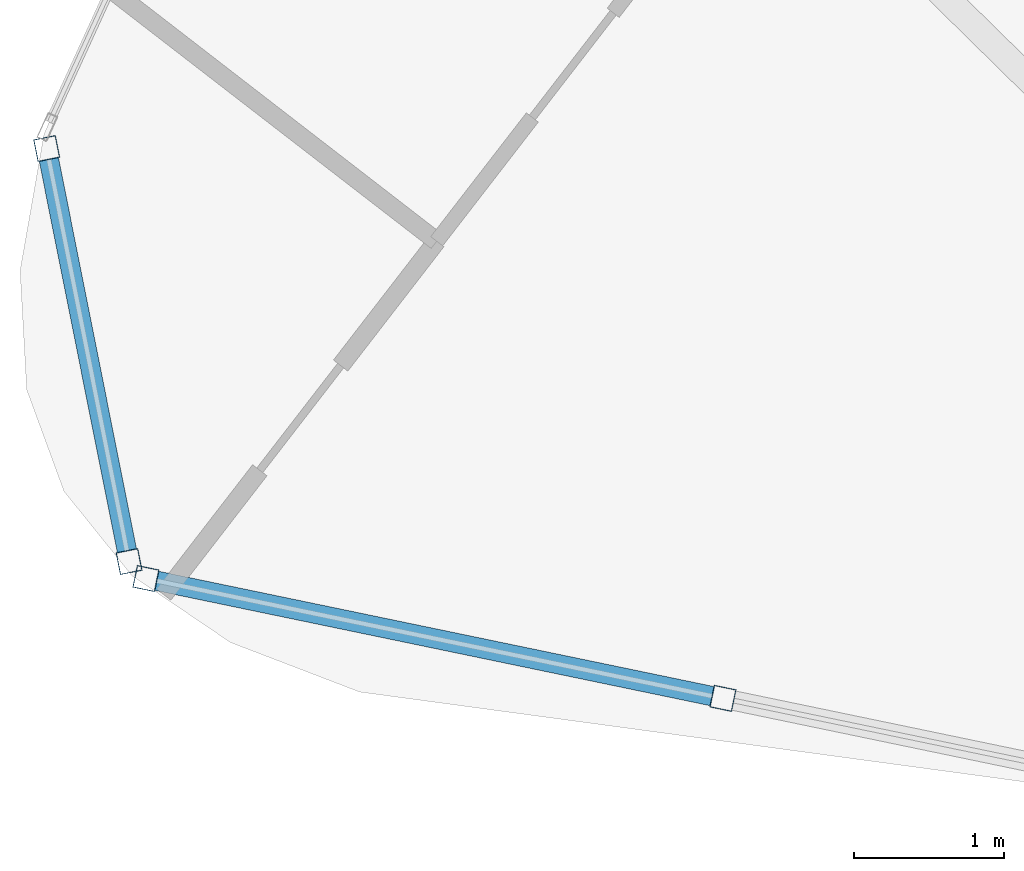
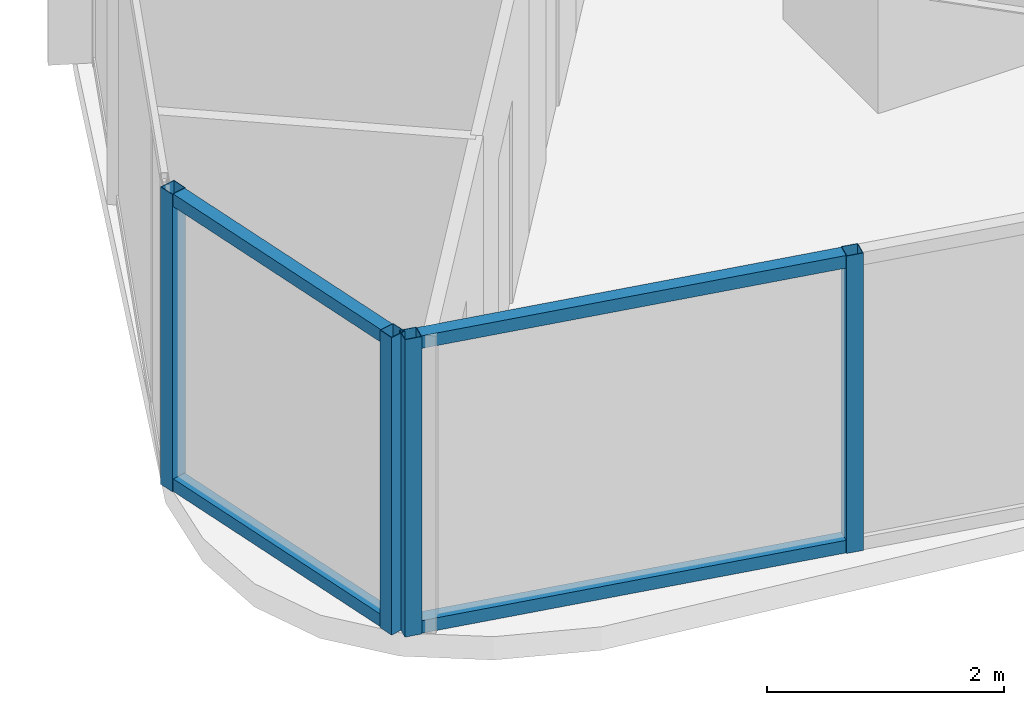
# One storey, part 2 of 34: 8 members, 2 elements without a shape of their own.
"""IFC4 building model written with IfcOpenShell, lengths in metres."""

import ifcopenshell
import ifcopenshell.guid

model = None  # the IFC model being written
_history = None  # IfcOwnerHistory: only IFC2X3 demands one
_inside = {}  # id of a spatial element -> (the spatial element, [elements in it])
_under = {}  # id of a project, library or spatial element -> (it, [spatial elements below it])
_declared = {}  # id of a project -> (the project, [libraries it declares])
_typed = {}  # id of a type object -> (the type object, [elements of that type])
_made_of = {}  # id of a material, layer set ... -> (it, [elements and type objects made of it])


def new_model(schema):
    """Start an empty IFC model of exactly this schema.

    Asked for "IFC4X3", IfcOpenShell would pick the latest addendum, in which some entities
    have other attributes; the version numbers below select the first issue.
    IFC2X3 requires an IfcOwnerHistory on every rooted entity: one is made here for all.
    """
    global model, _history
    if schema == "IFC4X3":
        model = ifcopenshell.file(schema_version=(4, 3, 0, 0))
    else:
        model = ifcopenshell.file(schema=schema)
    _inside.clear()
    _under.clear()
    _declared.clear()
    _typed.clear()
    _made_of.clear()
    _history = None
    if model.schema == "IFC2X3":
        org = make("IfcOrganization", Name="unknown")
        user = make(
            "IfcPersonAndOrganization",
            ThePerson=make("IfcPerson", FamilyName="unknown"),
            TheOrganization=org,
        )
        app = make(
            "IfcApplication",
            ApplicationDeveloper=org,
            Version="unknown",
            ApplicationFullName="unknown",
            ApplicationIdentifier="unknown",
        )
        _history = make(
            "IfcOwnerHistory",
            OwningUser=user,
            OwningApplication=app,
            ChangeAction="ADDED",
            CreationDate=0,
        )
    return model


def make(cls, **values):
    """One entity of the class cls with the attributes given. An attribute that is None is left unset."""
    return model.create_entity(
        cls, **{name: value for name, value in values.items() if value is not None}
    )


def rooted(cls, **values):
    """An entity with a GlobalId (a new one), such as an element, a storey or a relation."""
    return make(cls, GlobalId=ifcopenshell.guid.new(), OwnerHistory=_history, **values)


def si_unit(unit_type, name, prefix=None):
    """IfcSIUnit, for example si_unit("LENGTHUNIT", "METRE", prefix="MILLI")."""
    return make("IfcSIUnit", UnitType=unit_type, Prefix=prefix, Name=name)


def assignment(units):
    """IfcUnitAssignment: the units of a project."""
    return None if units is None else make("IfcUnitAssignment", Units=units)


def point(xyz):
    """IfcCartesianPoint."""
    return None if xyz is None else make("IfcCartesianPoint", Coordinates=xyz)


def direction(xyz):
    """IfcDirection."""
    return None if xyz is None else make("IfcDirection", DirectionRatios=xyz)


def frame(location, z_axis=None, x_axis=None):
    """IfcAxis2Placement3D, a coordinate frame: its origin and axes. An axis left out is left unset."""
    return make(
        "IfcAxis2Placement3D",
        Location=point(location),
        Axis=direction(z_axis),
        RefDirection=direction(x_axis),
    )


def frame_2d(location, x_axis=None):
    """IfcAxis2Placement2D, a coordinate frame in the plane: its origin and x axis."""
    return make(
        "IfcAxis2Placement2D", Location=point(location), RefDirection=direction(x_axis)
    )


def origin():
    """The frame at (0, 0, 0) with its axes left unset."""
    return frame((0.0, 0.0, 0.0))


def origin_2d():
    """The frame at (0, 0) in the plane with its x axis left unset."""
    return frame_2d((0.0, 0.0))


def place(relative_to, where):
    """IfcLocalPlacement: puts the frame where relative to a parent placement (None: the world)."""
    return make(
        "IfcLocalPlacement", PlacementRelTo=relative_to, RelativePlacement=where
    )


def context(
    kind, dimensions, precision=None, world=None, true_north=None, identifier=None
):
    """IfcGeometricRepresentationContext, for example the 3D "Model" context."""
    return make(
        "IfcGeometricRepresentationContext",
        ContextIdentifier=identifier,
        ContextType=kind,
        CoordinateSpaceDimension=dimensions,
        Precision=precision,
        WorldCoordinateSystem=world,
        TrueNorth=true_north,
    )


def subcontext(parent, identifier, kind, view, scale=None):
    """IfcGeometricRepresentationSubContext, for example "Body" below "Model"."""
    return make(
        "IfcGeometricRepresentationSubContext",
        ContextIdentifier=identifier,
        ContextType=kind,
        ParentContext=parent,
        TargetScale=scale,
        TargetView=view,
    )


def project(units=None, contexts=None):
    """IfcProject with its units and contexts."""
    return rooted(
        "IfcProject",
        Name="project",
        RepresentationContexts=contexts,
        UnitsInContext=assignment(units),
    )


def spatial(cls, under=None, at=None, **own):
    """A site, building, storey or space (cls), placed at a placement, below another one or the project."""
    s = rooted(cls, ObjectPlacement=at, **own)
    if under is not None:
        _under.setdefault(under.id(), (under, []))[1].append(s)
    return s


def profile(cls, at=None, kind="AREA", **sizes):
    """A parametric profile (cls). Its sizes go by their IFC names, for example OverallWidth=200.0."""
    return make(cls, ProfileType=kind, Position=at, **sizes)


def hollow_rectangle(**sizes):
    """IfcRectangleHollowProfileDef."""
    return profile("IfcRectangleHollowProfileDef", **sizes)


def extrude(swept, where, along, depth):
    """IfcExtrudedAreaSolid: the profile swept, set in the frame where, extruded along a direction by depth."""
    return make(
        "IfcExtrudedAreaSolid",
        SweptArea=swept,
        Position=where,
        ExtrudedDirection=direction(along),
        Depth=depth,
    )


def shape(context_of_items, identifier, shape_type, items):
    """IfcShapeRepresentation: the items that make up one representation, for example the "Body"."""
    return make(
        "IfcShapeRepresentation",
        ContextOfItems=context_of_items,
        RepresentationIdentifier=identifier,
        RepresentationType=shape_type,
        Items=items,
    )


def material(Name=None, Category=None):
    """IfcMaterial."""
    return make("IfcMaterial", Name=Name, Category=Category)


def layer(
    of_material, thickness, ventilated=None, Name=None, Category=None, Priority=None
):
    """IfcMaterialLayer: one layer of a wall or slab, of a material (None: an air gap)."""
    return make(
        "IfcMaterialLayer",
        Material=of_material,
        LayerThickness=thickness,
        IsVentilated=ventilated,
        Name=Name,
        Category=Category,
        Priority=Priority,
    )


def layer_set(layers, Name=None):
    """IfcMaterialLayerSet."""
    return make("IfcMaterialLayerSet", MaterialLayers=layers, LayerSetName=Name)


def material_profile(
    of_material, cross_section, Name=None, Category=None, Priority=None
):
    """IfcMaterialProfile: a cross section and its material."""
    return make(
        "IfcMaterialProfile",
        Name=Name,
        Material=of_material,
        Profile=cross_section,
        Priority=Priority,
        Category=Category,
    )


def profile_set(profiles, Name=None, composite=None):
    """IfcMaterialProfileSet."""
    return make(
        "IfcMaterialProfileSet",
        Name=Name,
        MaterialProfiles=profiles,
        CompositeProfile=composite,
    )


def made_of(thing, what):
    """Note that an element or type object is made of a material, layer set ...; save() writes the relation."""
    if what is not None:
        _made_of.setdefault(what.id(), (what, []))[1].append(thing)
    return thing


def type_object(cls, material=None, **own):
    """A type object (cls), such as IfcWallType, which elements share."""
    return made_of(rooted(cls, **own), material)


def element(
    cls,
    number,
    at=None,
    inside=None,
    cuts=None,
    type_object=None,
    material=None,
    context=None,
    identifier="Body",
    shape_type=None,
    held_by="IfcProductDefinitionShape",
    body=None,
    shapes=None,
    **own,
):
    """One element of the class cls, such as IfcWall. Its Tag is "e" and its number.

    at: its placement. inside: the storey or other place that contains it. cuts: it is an
    opening in that element (IfcRelVoidsElement). A single representation is given by context,
    identifier, shape_type and body (its items); several are given by shapes. held_by: the class
    of the entity that holds the representations. save() writes the other relations.
    """
    e = rooted(cls, Tag="e%d" % number, ObjectPlacement=at, **own)
    if body is not None:
        shapes = [shape(context, identifier, shape_type, body)]
    if shapes is not None:
        e.Representation = make(held_by, Representations=shapes)
    if inside is not None:
        _inside.setdefault(inside.id(), (inside, []))[1].append(e)
    if cuts is not None:
        rooted(
            "IfcRelVoidsElement", RelatingBuildingElement=cuts, RelatedOpeningElement=e
        )
    if type_object is not None:
        _typed.setdefault(type_object.id(), (type_object, []))[1].append(e)
    return made_of(e, material)


def aggregate(whole, parts):
    """IfcRelAggregates: a whole, such as a stair, and the parts it consists of."""
    return rooted("IfcRelAggregates", RelatingObject=whole, RelatedObjects=parts)


def save(model, path):
    """Write the relations noted so far, then the file.

    IfcRelAggregates (storeys below a building ...), IfcRelContainedInSpatialStructure (elements
    in a storey), IfcRelDefinesByType, IfcRelAssociatesMaterial and IfcRelDeclares: one each for
    every whole, place, type object, material and project.
    """
    for whole, parts in _under.values():
        aggregate(whole, parts)
    for where, things in _inside.values():
        rooted(
            "IfcRelContainedInSpatialStructure",
            RelatedElements=things,
            RelatingStructure=where,
        )
    for kind, things in _typed.values():
        rooted("IfcRelDefinesByType", RelatedObjects=things, RelatingType=kind)
    for what, things in _made_of.values():
        rooted("IfcRelAssociatesMaterial", RelatedObjects=things, RelatingMaterial=what)
    for by, libraries in _declared.values():
        rooted("IfcRelDeclares", RelatingContext=by, RelatedDefinitions=libraries)
    model.write(path)


model = new_model("IFC4")

# Units and contexts
model_context = context("Model", 3, precision=1e-05, world=origin(), true_north=direction((0.0, 1.0)))
body_context = subcontext(model_context, "Body", "Model", "MODEL_VIEW")
ifc_project = project(units=[si_unit("LENGTHUNIT", "METRE"), si_unit("AREAUNIT", "SQUARE_METRE"), si_unit("VOLUMEUNIT", "CUBIC_METRE"), si_unit("PLANEANGLEUNIT", "RADIAN"), si_unit("MASSUNIT", "GRAM", prefix="KILO")], contexts=[model_context])

# Site, building, storey
site_placement = place(None, origin())
site = spatial("IfcSite", under=ifc_project, at=site_placement, CompositionType="ELEMENT")
building_placement = place(site_placement, origin())
building = spatial("IfcBuilding", under=site, at=building_placement, Name="Orvanel Arch Residences", CompositionType="ELEMENT")
storey_placement = place(building_placement, frame((0.0, 0.0, 80.75)))
storey = spatial("IfcBuildingStorey", under=building, at=storey_placement, Name="L22", CompositionType="ELEMENT", Elevation=80.75)

# Curtain wall, members
ifc_material = material(Name="Bronze-anodised aluminium AA6063-T6", Category="aluminium")
ifc_layer = layer(ifc_material, 0.18994140625)
ifc_layer_set = layer_set([ifc_layer], Name="Bronze-anodised aluminium AA6063-T6")
curtain_wall_type = type_object("IfcCurtainWallType", Name="CW5-CRN-SYS", PredefinedType="NOTDEFINED", material=ifc_layer_set)
curtain_wall_1_placement = place(storey_placement, origin())
curtain_wall_1 = element("IfcCurtainWall", 1, at=curtain_wall_1_placement, inside=storey, type_object=curtain_wall_type, Name="L22 CW5-CRN-SYS Unitised Curtain Wall", PredefinedType="NOTDEFINED")
ifc_material_profile_1 = material_profile(ifc_material, hollow_rectangle(XDim=0.14990234375, YDim=0.14990234375, WallThickness=0.0048828125, at=origin_2d()), Name="ALU150x150x5")
ifc_profile_set_1 = profile_set([ifc_material_profile_1], Name="Bronze-anodised aluminium AA6063-T6")
member_type_1 = type_object("IfcMemberType", Name="MUL-150x150", PredefinedType="MULLION", material=ifc_profile_set_1)
member_1_placement = place(storey_placement, frame((5.528564453125, 7.802490234375, 0.0), z_axis=(0.0, 0.0, 1.0), x_axis=(0.980697802401, 0.19552958949, 0.0)))
member_1 = element("IfcMember", 2, at=member_1_placement, type_object=member_type_1, Name="CW-S5 mullion 1", PredefinedType="MULLION", context=body_context, shape_type="SweptSolid", body=[
    extrude(hollow_rectangle(XDim=0.14990234375, YDim=0.14990234375, WallThickness=0.0048828125, at=origin_2d()), origin(), (0.0, 0.0, 1.0), 3.06005859375),
])
member_2_placement = place(storey_placement, frame((6.076416015625, 5.0556640625, 0.0), z_axis=(0.0, 0.0, 1.0), x_axis=(0.980697802401, 0.19552958949, 0.0)))
member_2 = element("IfcMember", 3, at=member_2_placement, type_object=member_type_1, Name="CW-S5 mullion 2", PredefinedType="MULLION", context=body_context, shape_type="SweptSolid", body=[
    extrude(hollow_rectangle(XDim=0.14990234375, YDim=0.14990234375, WallThickness=0.0048828125, at=origin_2d()), origin(), (0.0, 0.0, 1.0), 3.06005859375),
])

curtain_wall_2_placement = place(storey_placement, origin())
curtain_wall_2 = element("IfcCurtainWall", 4, at=curtain_wall_2_placement, inside=storey, type_object=curtain_wall_type, Name="L22 CW5-CRN-SYS Unitised Curtain Wall", PredefinedType="NOTDEFINED")
member_3_placement = place(storey_placement, frame((6.1884765625, 4.94287109375, 0.0), z_axis=(0.0, 0.0, 1.0), x_axis=(0.203284384132, 0.97911973689, 0.0)))
member_3 = element("IfcMember", 5, at=member_3_placement, type_object=member_type_1, Name="CW-S5 mullion 1", PredefinedType="MULLION", context=body_context, shape_type="SweptSolid", body=[
    extrude(hollow_rectangle(XDim=0.14990234375, YDim=0.14990234375, WallThickness=0.0048828125, at=origin_2d()), origin(), (0.0, 0.0, 1.0), 3.06005859375),
])
member_4_placement = place(storey_placement, frame((10.02587890625, 4.14599609375, 0.0), z_axis=(0.0, 0.0, 1.0), x_axis=(0.203284384132, 0.97911973689, 0.0)))
member_4 = element("IfcMember", 6, at=member_4_placement, type_object=member_type_1, Name="CW-S5 mullion 2", PredefinedType="MULLION", context=body_context, shape_type="SweptSolid", body=[
    extrude(hollow_rectangle(XDim=0.14990234375, YDim=0.14990234375, WallThickness=0.0048828125, at=origin_2d()), origin(), (0.0, 0.0, 1.0), 3.06005859375),
])

# Member
ifc_material_profile_2 = material_profile(ifc_material, hollow_rectangle(XDim=0.1298828125, YDim=0.1298828125, WallThickness=0.00439453125, at=origin_2d()), Name="ALU130x130x4.5")
ifc_profile_set_2 = profile_set([ifc_material_profile_2], Name="Bronze-anodised aluminium AA6063-T6")
member_type_2 = type_object("IfcMemberType", Name="TRN-130x130", PredefinedType="USERDEFINED", material=ifc_profile_set_2)
member_5_placement = place(storey_placement, frame((5.543212890625, 7.72900390625, 0.06494140625), z_axis=(0.195602520569, -0.980683258727, 0.0), x_axis=(0.980683258727, 0.195602520569, 0.0)))
member_5 = element("IfcMember", 7, at=member_5_placement, type_object=member_type_2, Name="CW-S5 transom 1.1", ObjectType="TRANSOM", PredefinedType="USERDEFINED", context=body_context, shape_type="SweptSolid", body=[
    extrude(hollow_rectangle(XDim=0.1298828125, YDim=0.1298828125, WallThickness=0.00439453125, at=origin_2d()), origin(), (0.0, 0.0, 1.0), 2.651123046875),
])

member_6_placement = place(storey_placement, frame((5.543212890625, 7.72900390625, 2.9951171875), z_axis=(0.195602520569, -0.980683258727, 0.0), x_axis=(0.980683258727, 0.195602520569, 0.0)))
member_6 = element("IfcMember", 8, at=member_6_placement, type_object=member_type_2, Name="CW-S5 transom 1.2", ObjectType="TRANSOM", PredefinedType="USERDEFINED", context=body_context, shape_type="SweptSolid", body=[
    extrude(hollow_rectangle(XDim=0.1298828125, YDim=0.1298828125, WallThickness=0.00439453125, at=origin_2d()), origin(), (0.0, 0.0, 1.0), 2.651123046875),
])

aggregate(curtain_wall_1, [member_1, member_2, member_5, member_6])

member_7_placement = place(storey_placement, frame((6.261962890625, 4.927490234375, 0.06494140625), z_axis=(0.979114380147, -0.20331018319, 0.0), x_axis=(0.20331018319, 0.979114380147, 0.0)))
member_7 = element("IfcMember", 9, at=member_7_placement, type_object=member_type_2, Name="CW-S5 transom 1.1", ObjectType="TRANSOM", PredefinedType="USERDEFINED", context=body_context, shape_type="SweptSolid", body=[
    extrude(hollow_rectangle(XDim=0.1298828125, YDim=0.1298828125, WallThickness=0.00439453125, at=origin_2d()), origin(), (0.0, 0.0, 1.0), 3.769287109375),
])

member_8_placement = place(storey_placement, frame((6.261962890625, 4.927490234375, 2.9951171875), z_axis=(0.979114380147, -0.20331018319, 0.0), x_axis=(0.20331018319, 0.979114380147, 0.0)))
member_8 = element("IfcMember", 10, at=member_8_placement, type_object=member_type_2, Name="CW-S5 transom 1.2", ObjectType="TRANSOM", PredefinedType="USERDEFINED", context=body_context, shape_type="SweptSolid", body=[
    extrude(hollow_rectangle(XDim=0.1298828125, YDim=0.1298828125, WallThickness=0.00439453125, at=origin_2d()), origin(), (0.0, 0.0, 1.0), 3.769287109375),
])

aggregate(curtain_wall_2, [member_3, member_4, member_7, member_8])

save(model, "model.ifc")
